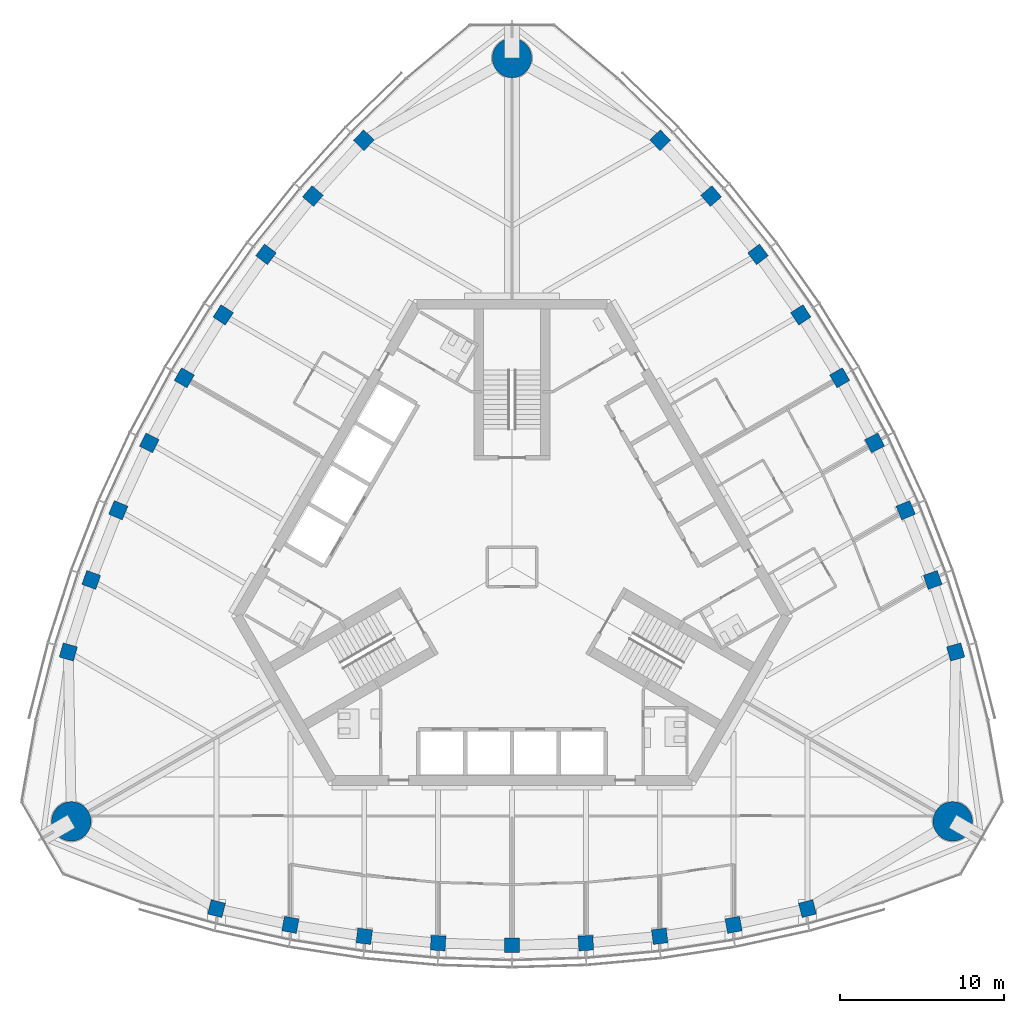
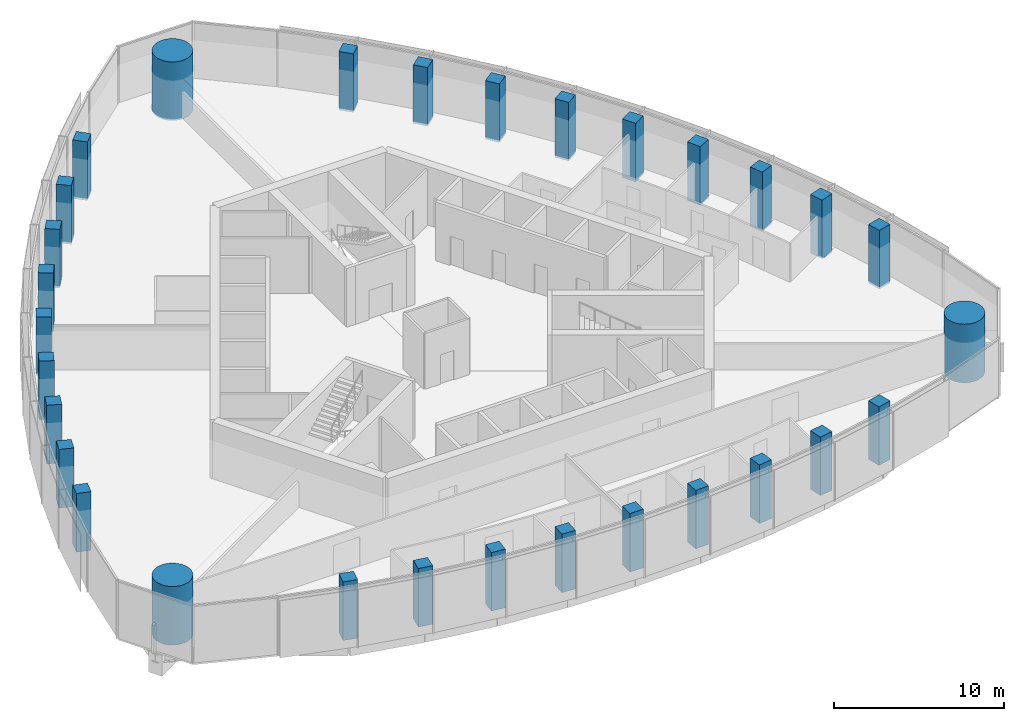
# One storey, part 1 of 16: 30 columns.
"""IFC4 building model written with IfcOpenShell, lengths in metres."""

from ifc_helpers import new_model, si_unit, direction, frame, origin, origin_2d, place, context, subcontext, project, spatial, rectangle, circle, extrude, material, material_profile, profile_set, type_object, element, save


model = new_model("IFC4")

# Units and contexts
model_context = context("Model", 3, precision=1e-05, world=origin(), true_north=direction((0.0, 1.0)))
body_context = subcontext(model_context, "Body", "Model", "MODEL_VIEW")
ifc_project = project(units=[si_unit("LENGTHUNIT", "METRE"), si_unit("AREAUNIT", "SQUARE_METRE"), si_unit("VOLUMEUNIT", "CUBIC_METRE"), si_unit("PLANEANGLEUNIT", "RADIAN"), si_unit("MASSUNIT", "GRAM", prefix="KILO")], contexts=[model_context])

# Site, building, storey
site_placement = place(None, origin())
site = spatial("IfcSite", under=ifc_project, at=site_placement, CompositionType="ELEMENT")
building_placement = place(site_placement, origin())
building = spatial("IfcBuilding", under=site, at=building_placement, Name="Trefoil Bronze Tower", CompositionType="ELEMENT")
storey_placement = place(building_placement, frame((0.0, 0.0, 318.300048828125)))
storey = spatial("IfcBuildingStorey", under=building, at=storey_placement, Name="L73", CompositionType="ELEMENT", Elevation=318.300048828125)

# Columns
ifc_material_1 = material(Name="Concrete B80", Category="concrete")
ifc_material_profile_1 = material_profile(ifc_material_1, circle(Radius=1.199951171875, at=origin_2d()), Name="RC D2400")
ifc_profile_set_1 = profile_set([ifc_material_profile_1], Name="Concrete B80")
column_type_1 = type_object("IfcColumnType", Name="Mega column RC D2400", PredefinedType="COLUMN", material=ifc_profile_set_1)
for number, where, z_axis, x_axis, name in (
    (1, (26.8466796875, -15.5, 0.0), (0.0, 0.0, 1.0), (1.0, 0.0, 0.0), "Mega column K1 L73"),
    (2, (0.0, 31.0, 0.0), (0.0, 0.0, 1.0), (1.0, 0.0, 0.0), "Mega column K2 L73"),
    (3, (-26.8466796875, -15.5, 0.0), (0.0, 0.0, 1.0), (1.0, 0.0, 0.0), "Mega column K3 L73"),
):
    element("IfcColumn", number, at=place(storey_placement, frame(where, z_axis=z_axis, x_axis=x_axis)), inside=storey, type_object=column_type_1, Name=name, PredefinedType="COLUMN", context=body_context, shape_type="SweptSolid", body=[
        extrude(circle(Radius=1.199951171875, at=origin_2d()), origin(), (0.0, 0.0, 1.0), 4.199951171875),
    ])
ifc_material_2 = material(Name="Concrete B80", Category="concrete")
ifc_material_profile_2 = material_profile(ifc_material_2, rectangle(XDim=0.89990234375, YDim=0.89990234375, at=origin_2d()), Name="RC 900x900")
ifc_profile_set_2 = profile_set([ifc_material_profile_2], Name="Concrete B80")
column_type_2 = type_object("IfcColumnType", Name="Tube column RC 900x900", PredefinedType="COLUMN", material=ifc_profile_set_2)
for number, where, z_axis, x_axis, name in (
    (4, (-18.0, -20.816162109375, 0.0), (0.0, 0.0, 1.0), (0.97017777199, -0.242394494031, 0.0), "Tube column F1/-4 L73"),
    (5, (-13.5, -21.802734375, 0.0), (0.0, 0.0, 1.0), (0.983360067227, -0.181667218242, 0.0), "Tube column F1/-3 L73"),
    (6, (-9.0, -22.499267578125, 0.0), (0.0, 0.0, 1.0), (0.992639174109, -0.121109330868, 0.0), "Tube column F1/-2 L73"),
    (7, (-4.5, -22.913818359375, 0.0), (0.0, 0.0, 1.0), (0.998164920349, -0.060554040199, 0.0), "Tube column F1/-1 L73"),
    (8, (0.0, -23.051513671875, 0.0), (0.0, 0.0, 1.0), (1.0, 0.0, 0.0), "Tube column F1/+0 L73"),
    (9, (4.5, -22.913818359375, 0.0), (0.0, 0.0, 1.0), (0.998164920349, 0.060554040199, 0.0), "Tube column F1/+1 L73"),
    (10, (9.0, -22.499267578125, 0.0), (0.0, 0.0, 1.0), (0.992639174109, 0.121109330868, 0.0), "Tube column F1/+2 L73"),
    (11, (13.5, -21.802734375, 0.0), (0.0, 0.0, 1.0), (0.983360067227, 0.181667218242, 0.0), "Tube column F1/+3 L73"),
    (12, (18.0, -20.816162109375, 0.0), (0.0, 0.0, 1.0), (0.97017777199, 0.242394494031, 0.0), "Tube column F1/+4 L73"),
    (13, (27.02734375, -5.180419921875, 0.0), (0.0, 0.0, 1.0), (-0.275169096426, 0.961395843746, 0.0), "Tube column F2/-4 L73"),
    (14, (25.631591796875, -0.7900390625, 0.0), (0.0, 0.0, 1.0), (-0.334351607581, 0.942448408407, 0.0), "Tube column F2/-3 L73"),
    (15, (23.98486328125, 3.455322265625, 0.0), (0.0, 0.0, 1.0), (-0.391435829888, 0.920205407004, 0.0), "Tube column F2/-2 L73"),
    (16, (22.093994140625, 7.559814453125, 0.0), (0.0, 0.0, 1.0), (-0.44664112306, 0.894713198289, 0.0), "Tube column F2/-1 L73"),
    (17, (19.96337890625, 11.52587890625, 0.0), (0.0, 0.0, 1.0), (-0.5, 0.866025403784, 0.0), "Tube column F2/+0 L73"),
    (18, (17.593994140625, 15.35400390625, 0.0), (0.0, 0.0, 1.0), (-0.551523797289, 0.834159158089, 0.0), "Tube column F2/+1 L73"),
    (19, (14.98486328125, 19.043701171875, 0.0), (0.0, 0.0, 1.0), (-0.601203344222, 0.799096076136, 0.0), "Tube column F2/+2 L73"),
    (20, (12.131591796875, 22.5927734375, 0.0), (0.0, 0.0, 1.0), (-0.649008459646, 0.760781190165, 0.0), "Tube column F2/+3 L73"),
    (21, (9.02734375, 25.99658203125, 0.0), (0.0, 0.0, 1.0), (-0.695008675564, 0.719001349715, 0.0), "Tube column F2/+4 L73"),
    (22, (-9.02734375, 25.99658203125, 0.0), (0.0, 0.0, 1.0), (-0.695008675564, -0.719001349715, 0.0), "Tube column F3/-4 L73"),
    (23, (-12.131591796875, 22.5927734375, 0.0), (0.0, 0.0, 1.0), (-0.649008459646, -0.760781190165, 0.0), "Tube column F3/-3 L73"),
    (24, (-14.98486328125, 19.043701171875, 0.0), (0.0, 0.0, 1.0), (-0.601203344222, -0.799096076136, 0.0), "Tube column F3/-2 L73"),
    (25, (-17.593994140625, 15.35400390625, 0.0), (0.0, 0.0, 1.0), (-0.551523797289, -0.834159158089, 0.0), "Tube column F3/-1 L73"),
    (26, (-19.96337890625, 11.52587890625, 0.0), (0.0, 0.0, 1.0), (-0.5, -0.866025403784, 0.0), "Tube column F3/+0 L73"),
    (27, (-22.093994140625, 7.559814453125, 0.0), (0.0, 0.0, 1.0), (-0.44664112306, -0.894713198289, 0.0), "Tube column F3/+1 L73"),
    (28, (-23.98486328125, 3.455322265625, 0.0), (0.0, 0.0, 1.0), (-0.391435829888, -0.920205407004, 0.0), "Tube column F3/+2 L73"),
    (29, (-25.631591796875, -0.7900390625, 0.0), (0.0, 0.0, 1.0), (-0.334351607581, -0.942448408407, 0.0), "Tube column F3/+3 L73"),
    (30, (-27.02734375, -5.180419921875, 0.0), (0.0, 0.0, 1.0), (-0.275169096426, -0.961395843746, 0.0), "Tube column F3/+4 L73"),
):
    element("IfcColumn", number, at=place(storey_placement, frame(where, z_axis=z_axis, x_axis=x_axis)), inside=storey, type_object=column_type_2, Name=name, PredefinedType="COLUMN", context=body_context, shape_type="SweptSolid", body=[
        extrude(rectangle(XDim=0.89990234375, YDim=0.89990234375, at=origin_2d()), origin(), (0.0, 0.0, 1.0), 4.199951171875),
    ])

save(model, "model.ifc")
